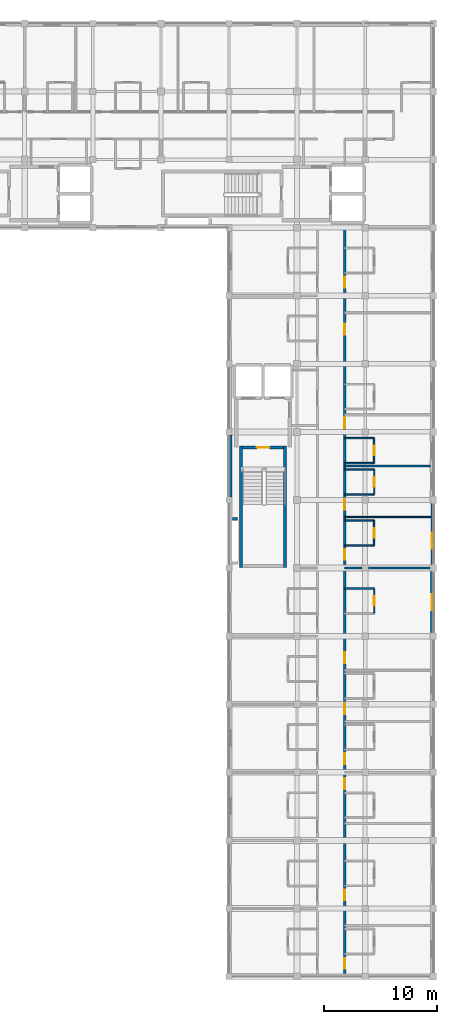
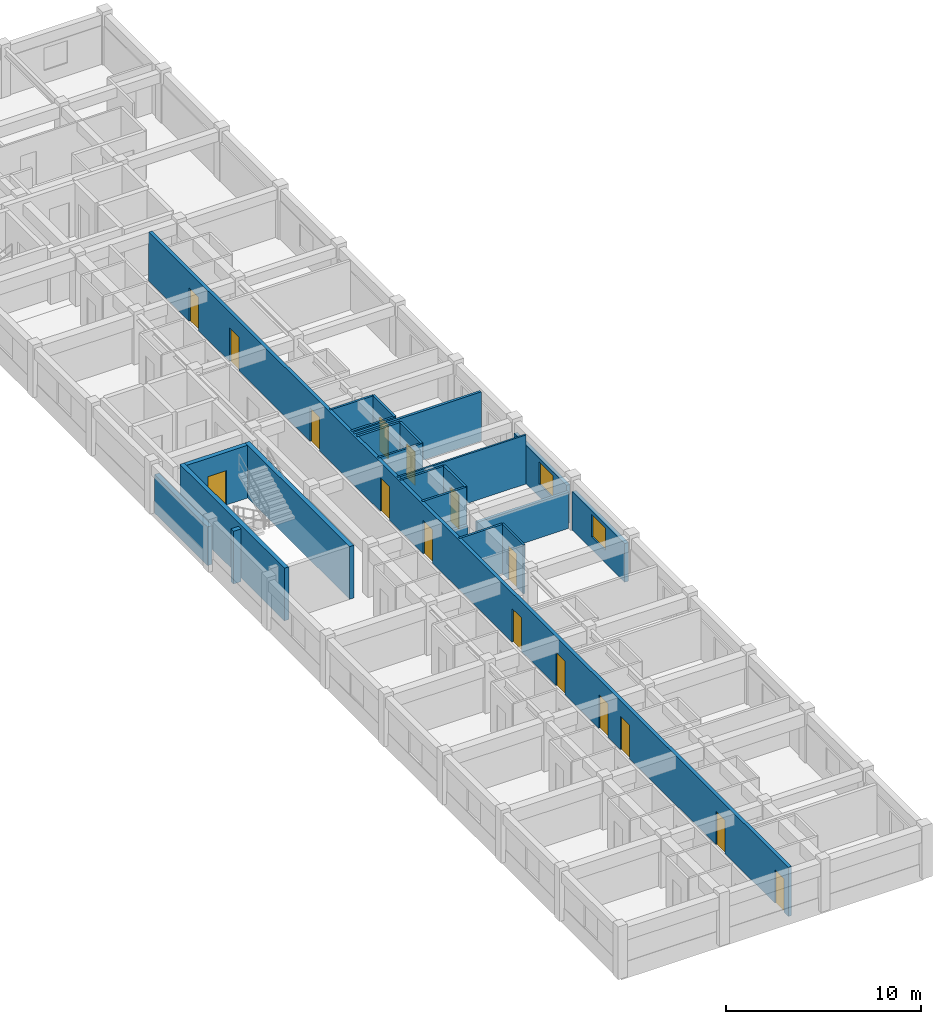
# One storey, part 6 of 21: 23 walls, 16 doors, 2 windows, 18 openings.
"""IFC4 building model written with IfcOpenShell, lengths in metres."""

from ifc_helpers import new_model, si_unit, direction, frame, frame_2d, origin, place, context, subcontext, project, spatial, rectangle, extrude, material, layer, layer_set, type_object, element, fill, save


model = new_model("IFC4")

# Units and contexts
model_context = context("Model", 3, precision=1e-05, world=origin(), true_north=direction((0.0, 1.0)))
body_context = subcontext(model_context, "Body", "Model", "MODEL_VIEW")
ifc_project = project(units=[si_unit("LENGTHUNIT", "METRE"), si_unit("AREAUNIT", "SQUARE_METRE"), si_unit("VOLUMEUNIT", "CUBIC_METRE"), si_unit("PLANEANGLEUNIT", "RADIAN"), si_unit("MASSUNIT", "GRAM", prefix="KILO"), si_unit("THERMODYNAMICTEMPERATUREUNIT", "KELVIN"), si_unit("POWERUNIT", "WATT")], contexts=[model_context])

# Site, building, storey
site_placement = place(None, origin())
site = spatial("IfcSite", under=ifc_project, at=site_placement, CompositionType="ELEMENT")
building_placement = place(site_placement, origin())
building = spatial("IfcBuilding", under=site, at=building_placement, Name="Phaisarnlok Congress Hotel", CompositionType="ELEMENT")
storey_placement = place(building_placement, frame((0.0, 0.0, 31.5)))
storey = spatial("IfcBuildingStorey", under=building, at=storey_placement, Name="L07", CompositionType="ELEMENT", Elevation=31.5)

# Wall, opening, window
ifc_material_1 = material(Name="Concrete C40/50", Category="concrete")
ifc_layer_1 = layer(ifc_material_1, 0.2099609375, Name="Concrete C40/50")
ifc_layer_set_1 = layer_set([ifc_layer_1], Name="Concrete C40/50")
wall_type_1 = type_object("IfcWallType", Name="WL-EXT-210", PredefinedType="SOLIDWALL", material=ifc_layer_set_1)
wall_1_placement = place(storey_placement, frame((179.89501953125, 78.304931640625, 0.0), z_axis=(0.0, 0.0, 1.0), x_axis=(0.0, 1.0, 0.0)))
wall_1 = element("IfcWall", 1, at=wall_1_placement, inside=storey, type_object=wall_type_1, Name="Exterior wall EW-07 (L07)", PredefinedType="SOLIDWALL", context=body_context, shape_type="SweptSolid", body=[
    extrude(rectangle(XDim=5.39013671875, YDim=0.2099609375, at=frame_2d((2.695068359375, 0.0))), origin(), (0.0, 0.0, 1.0), 2.419921875),
])
opening_1_placement = place(wall_1_placement, frame((1.406982421875, 0.0, 0.800048828125)))
opening_1 = element("IfcOpeningElement", 2, at=opening_1_placement, cuts=wall_1, Name="Opening W-13", PredefinedType="OPENING", context=body_context, shape_type="SweptSolid", body=[
    extrude(rectangle(XDim=1.39990234375, YDim=1.39990234375, at=frame_2d((0.699951171875, 0.699951171875))), frame((0.0, 0.114990234375, 0.0), z_axis=(0.0, -1.0, 0.0), x_axis=(1.0, 0.0, 0.0)), (0.0, 0.0, 1.0), 0.22998046875),
])
ifc_material_2 = material(Name="Thermally Broken Aluminium & Low-E Double Glazing", Category="aluminium")
window_type = type_object("IfcWindowType", Name="WIN-POD-1400", PartitioningType="SINGLE_PANEL", PredefinedType="WINDOW", material=ifc_material_2)
window_1_placement = place(opening_1_placement, origin())
window_1 = element("IfcWindow", 3, at=window_1_placement, inside=storey, type_object=window_type, Name="Guestroom window W-13 (L07)", OverallHeight=1.39990234375, OverallWidth=1.39990234375, PartitioningType="SINGLE_PANEL", PredefinedType="WINDOW", context=body_context, shape_type="SweptSolid", body=[
    extrude(rectangle(XDim=1.39990234375, YDim=1.39990234375, at=frame_2d((0.699951171875, 0.699951171875))), frame((0.0, 0.030029296875, 0.0), z_axis=(0.0, -1.0, 0.0), x_axis=(1.0, 0.0, 0.0)), (0.0, 0.0, 1.0), 0.06005859375),
])
fill(opening_1, window_1)

ifc_layer_2 = layer(ifc_material_1, 0.22998046875, Name="Concrete C40/50")
ifc_layer_set_2 = layer_set([ifc_layer_2], Name="Concrete C40/50")
wall_type_2 = type_object("IfcWallType", Name="WL-EXT-230", PredefinedType="SOLIDWALL", material=ifc_layer_set_2)
wall_2_placement = place(storey_placement, frame((179.885009765625, 72.304931640625, 0.0), z_axis=(0.0, 0.0, 1.0), x_axis=(0.0, 1.0, 0.0)))
wall_2 = element("IfcWall", 4, at=wall_2_placement, inside=storey, type_object=wall_type_2, Name="Exterior wall EW-06 (L07)", PredefinedType="SOLIDWALL", context=body_context, shape_type="SweptSolid", body=[
    extrude(rectangle(XDim=5.39013671875, YDim=0.22998046875, at=frame_2d((2.695068359375, 0.0))), origin(), (0.0, 0.0, 1.0), 2.419921875),
])
opening_2_placement = place(wall_2_placement, frame((1.9951171875, 0.0, 0.800048828125)))
opening_2 = element("IfcOpeningElement", 5, at=opening_2_placement, cuts=wall_2, Name="Opening W-13", PredefinedType="OPENING", context=body_context, shape_type="SweptSolid", body=[
    extrude(rectangle(XDim=1.39990234375, YDim=1.39990234375, at=frame_2d((0.699951171875, 0.699951171875))), frame((0.0, 0.125, 0.0), z_axis=(0.0, -1.0, 0.0), x_axis=(1.0, 0.0, 0.0)), (0.0, 0.0, 1.0), 0.25),
])
window_2_placement = place(opening_2_placement, origin())
window_2 = element("IfcWindow", 6, at=window_2_placement, inside=storey, type_object=window_type, Name="Guestroom window W-13 (L07)", OverallHeight=1.39990234375, OverallWidth=1.39990234375, PartitioningType="SINGLE_PANEL", PredefinedType="WINDOW", context=body_context, shape_type="SweptSolid", body=[
    extrude(rectangle(XDim=1.39990234375, YDim=1.39990234375, at=frame_2d((0.699951171875, 0.699951171875))), frame((0.0, 0.030029296875, 0.0), z_axis=(0.0, -1.0, 0.0), x_axis=(1.0, 0.0, 0.0)), (0.0, 0.0, 1.0), 0.06005859375),
])
fill(opening_2, window_2)

# Walls
ifc_layer_3 = layer(ifc_material_1, 0.27001953125, Name="Concrete C40/50")
ifc_layer_set_3 = layer_set([ifc_layer_3], Name="Concrete C40/50")
wall_type_3 = type_object("IfcWallType", Name="WL-EXT-270", PredefinedType="SOLIDWALL", material=ifc_layer_set_3)
wall_3_placement = place(storey_placement, frame((162.135009765625, 89.719970703125, 0.0), z_axis=(0.0, 0.0, 1.0), x_axis=(0.0, -1.0, 0.0)))
element("IfcWall", 7, at=wall_3_placement, inside=storey, type_object=wall_type_3, Name="Exterior wall EW-04 (L07)", PredefinedType="SOLIDWALL", context=body_context, shape_type="SweptSolid", body=[
    extrude(rectangle(XDim=5.43994140625, YDim=0.27001953125, at=frame_2d((2.719970703125, 0.0))), origin(), (0.0, 0.0, 1.0), 2.419921875),
])
ifc_material_3 = material(Name="Service Riser Shaftwall Partition", Category="gypsum")
ifc_layer_4 = layer(ifc_material_3, 0.10498046875, Name="Service Riser Shaftwall Partition")
ifc_layer_set_4 = layer_set([ifc_layer_4], Name="Service Riser Shaftwall Partition")
wall_type_4 = type_object("IfcWallType", Name="WL-INT-105", PredefinedType="PARTITIONING", material=ifc_layer_set_4)
wall_4_placement = place(storey_placement, frame((172.199951171875, 82.5, 0.0), z_axis=(0.0, 0.0, 1.0), x_axis=(1.0, 0.0, 0.0)))
element("IfcWall", 8, at=wall_4_placement, inside=storey, type_object=wall_type_4, Name="Interior partition wall IW-08 (L07)", PredefinedType="PARTITIONING", context=body_context, shape_type="SweptSolid", body=[
    extrude(rectangle(XDim=7.5849609375, YDim=0.10498046875, at=frame_2d((3.79248046875, 0.0))), origin(), (0.0, 0.0, 1.0), 3.070068359375),
])

# Wall, opening, door
ifc_material_4 = material(Name="Lightweight Metal-Stud Gypsum Partition", Category="gypsum")
ifc_layer_5 = layer(ifc_material_4, 0.1201171875, Name="Lightweight Metal-Stud Gypsum Partition")
ifc_layer_set_5 = layer_set([ifc_layer_5], Name="Lightweight Metal-Stud Gypsum Partition")
wall_type_5 = type_object("IfcWallType", Name="WL-INT-120", PredefinedType="PARTITIONING", material=ifc_layer_set_5)
wall_5_placement = place(storey_placement, frame((174.800048828125, 74.0, 0.0), z_axis=(0.0, 0.0, 1.0), x_axis=(0.0, 1.0, 0.0)))
wall_5 = element("IfcWall", 9, at=wall_5_placement, inside=storey, type_object=wall_type_5, Name="Interior partition wall IW-07 (L07)", PredefinedType="PARTITIONING", context=body_context, shape_type="SweptSolid", body=[
    extrude(rectangle(XDim=2.199951171875, YDim=0.1201171875, at=frame_2d((1.10009765625, 0.0))), origin(), (0.0, 0.0, 1.0), 3.070068359375),
])
opening_3_placement = place(wall_5_placement, frame((0.675048828125, 0.0, 0.0)))
opening_3 = element("IfcOpeningElement", 10, at=opening_3_placement, cuts=wall_5, Name="Opening D-0369", PredefinedType="OPENING", context=body_context, shape_type="SweptSolid", body=[
    extrude(rectangle(XDim=0.85009765625, YDim=2.10009765625, at=frame_2d((0.425048828125, 1.050048828125))), frame((0.0, 0.070068359375, 0.0), z_axis=(0.0, -1.0, 0.0), x_axis=(1.0, 0.0, 0.0)), (0.0, 0.0, 1.0), 0.14013671875),
])
ifc_material_5 = material(Name="Moisture-Resistant Lacquered Timber", Category="wood")
door_type_1 = type_object("IfcDoorType", Name="DR-BATH-850", OperationType="NOTDEFINED", PredefinedType="DOOR", material=ifc_material_5)
door_1_placement = place(opening_3_placement, origin())
door_1 = element("IfcDoor", 11, at=door_1_placement, inside=storey, type_object=door_type_1, Name="Interior door D-0369 (L07)", OperationType="SINGLE_SWING_LEFT", OverallHeight=2.10009765625, OverallWidth=0.85009765625, PredefinedType="DOOR", context=body_context, shape_type="SweptSolid", body=[
    extrude(rectangle(XDim=0.85009765625, YDim=2.10009765625, at=frame_2d((0.425048828125, 1.050048828125))), frame((0.0, 0.02490234375, 0.0), z_axis=(0.0, -1.0, 0.0), x_axis=(1.0, 0.0, 0.0)), (0.0, 0.0, 1.0), 0.050048828125),
])
fill(opening_3, door_1)

wall_6_placement = place(storey_placement, frame((174.800048828125, 84.5, 0.0), z_axis=(0.0, 0.0, 1.0), x_axis=(0.0, 1.0, 0.0)))
wall_6 = element("IfcWall", 12, at=wall_6_placement, inside=storey, type_object=wall_type_5, Name="Interior partition wall IW-07 (L07)", PredefinedType="PARTITIONING", context=body_context, shape_type="SweptSolid", body=[
    extrude(rectangle(XDim=2.199951171875, YDim=0.1201171875, at=frame_2d((1.10009765625, 0.0))), origin(), (0.0, 0.0, 1.0), 3.070068359375),
])
opening_4_placement = place(wall_6_placement, frame((0.675048828125, 0.0, 0.0)))
opening_4 = element("IfcOpeningElement", 13, at=opening_4_placement, cuts=wall_6, Name="Opening D-0373", PredefinedType="OPENING", context=body_context, shape_type="SweptSolid", body=[
    extrude(rectangle(XDim=0.85009765625, YDim=2.10009765625, at=frame_2d((0.425048828125, 1.050048828125))), frame((0.0, 0.070068359375, 0.0), z_axis=(0.0, -1.0, 0.0), x_axis=(1.0, 0.0, 0.0)), (0.0, 0.0, 1.0), 0.14013671875),
])
door_2_placement = place(opening_4_placement, origin())
door_2 = element("IfcDoor", 14, at=door_2_placement, inside=storey, type_object=door_type_1, Name="Interior door D-0373 (L07)", OperationType="SINGLE_SWING_LEFT", OverallHeight=2.10009765625, OverallWidth=0.85009765625, PredefinedType="DOOR", context=body_context, shape_type="SweptSolid", body=[
    extrude(rectangle(XDim=0.85009765625, YDim=2.10009765625, at=frame_2d((0.425048828125, 1.050048828125))), frame((0.0, 0.02490234375, 0.0), z_axis=(0.0, -1.0, 0.0), x_axis=(1.0, 0.0, 0.0)), (0.0, 0.0, 1.0), 0.050048828125),
])
fill(opening_4, door_2)

# Walls
for number, where, z_axis, x_axis, name in (
    (15, (172.199951171875, 82.199951171875, 0.0), (0.0, 0.0, 1.0), (1.0, 0.0, 0.0), "Interior partition wall IW-07 (L07)"),
    (16, (172.199951171875, 84.5, 0.0), (0.0, 0.0, 1.0), (1.0, 0.0, 0.0), "Interior partition wall IW-07 (L07)"),
    (17, (172.199951171875, 89.449951171875, 0.0), (0.0, 0.0, 1.0), (1.0, 0.0, 0.0), "Interior partition wall IW-07 (L07)"),
):
    element("IfcWall", number, at=place(storey_placement, frame(where, z_axis=z_axis, x_axis=x_axis)), inside=storey, type_object=wall_type_5, Name=name, PredefinedType="PARTITIONING", context=body_context, shape_type="SweptSolid", body=[
        extrude(rectangle(XDim=2.60009765625, YDim=0.1201171875, at=frame_2d((1.300048828125, 0.0))), origin(), (0.0, 0.0, 1.0), 3.070068359375),
    ])

# Wall, opening, door
ifc_material_6 = material(Name="Moisture-Resistant Gypsum Partition", Category="gypsum")
ifc_layer_6 = layer(ifc_material_6, 0.135009765625, Name="Moisture-Resistant Gypsum Partition")
ifc_layer_set_6 = layer_set([ifc_layer_6], Name="Moisture-Resistant Gypsum Partition")
wall_type_6 = type_object("IfcWallType", Name="WL-INT-135", PredefinedType="PARTITIONING", material=ifc_layer_set_6)
wall_7_placement = place(storey_placement, frame((174.800048828125, 80.0, 0.0), z_axis=(0.0, 0.0, 1.0), x_axis=(0.0, 1.0, 0.0)))
wall_7 = element("IfcWall", 18, at=wall_7_placement, inside=storey, type_object=wall_type_6, Name="Interior partition wall IW-06 (L07)", PredefinedType="PARTITIONING", context=body_context, shape_type="SweptSolid", body=[
    extrude(rectangle(XDim=2.199951171875, YDim=0.135009765625, at=frame_2d((1.10009765625, 0.0))), origin(), (0.0, 0.0, 1.0), 3.070068359375),
])
opening_5_placement = place(wall_7_placement, frame((0.675048828125, 0.0, 0.0)))
opening_5 = element("IfcOpeningElement", 19, at=opening_5_placement, cuts=wall_7, Name="Opening D-0371", PredefinedType="OPENING", context=body_context, shape_type="SweptSolid", body=[
    extrude(rectangle(XDim=0.85009765625, YDim=2.10009765625, at=frame_2d((0.425048828125, 1.050048828125))), frame((0.0, 0.07763671875, 0.0), z_axis=(0.0, -1.0, 0.0), x_axis=(1.0, 0.0, 0.0)), (0.0, 0.0, 1.0), 0.155029296875),
])
door_3_placement = place(opening_5_placement, origin())
door_3 = element("IfcDoor", 20, at=door_3_placement, inside=storey, type_object=door_type_1, Name="Interior door D-0371 (L07)", OperationType="SINGLE_SWING_LEFT", OverallHeight=2.10009765625, OverallWidth=0.85009765625, PredefinedType="DOOR", context=body_context, shape_type="SweptSolid", body=[
    extrude(rectangle(XDim=0.85009765625, YDim=2.10009765625, at=frame_2d((0.425048828125, 1.050048828125))), frame((0.0, 0.02490234375, 0.0), z_axis=(0.0, -1.0, 0.0), x_axis=(1.0, 0.0, 0.0)), (0.0, 0.0, 1.0), 0.050048828125),
])
fill(opening_5, door_3)

wall_8_placement = place(storey_placement, frame((174.800048828125, 87.25, 0.0), z_axis=(0.0, 0.0, 1.0), x_axis=(0.0, 1.0, 0.0)))
wall_8 = element("IfcWall", 21, at=wall_8_placement, inside=storey, type_object=wall_type_6, Name="Interior partition wall IW-06 (L07)", PredefinedType="PARTITIONING", context=body_context, shape_type="SweptSolid", body=[
    extrude(rectangle(XDim=2.199951171875, YDim=0.135009765625, at=frame_2d((1.10009765625, 0.0))), origin(), (0.0, 0.0, 1.0), 3.070068359375),
])
opening_6_placement = place(wall_8_placement, frame((0.675048828125, 0.0, 0.0)))
opening_6 = element("IfcOpeningElement", 22, at=opening_6_placement, cuts=wall_8, Name="Opening D-0375", PredefinedType="OPENING", context=body_context, shape_type="SweptSolid", body=[
    extrude(rectangle(XDim=0.85009765625, YDim=2.10009765625, at=frame_2d((0.425048828125, 1.050048828125))), frame((0.0, 0.07763671875, 0.0), z_axis=(0.0, -1.0, 0.0), x_axis=(1.0, 0.0, 0.0)), (0.0, 0.0, 1.0), 0.155029296875),
])
door_4_placement = place(opening_6_placement, origin())
door_4 = element("IfcDoor", 23, at=door_4_placement, inside=storey, type_object=door_type_1, Name="Interior door D-0375 (L07)", OperationType="SINGLE_SWING_LEFT", OverallHeight=2.10009765625, OverallWidth=0.85009765625, PredefinedType="DOOR", context=body_context, shape_type="SweptSolid", body=[
    extrude(rectangle(XDim=0.85009765625, YDim=2.10009765625, at=frame_2d((0.425048828125, 1.050048828125))), frame((0.0, 0.02490234375, 0.0), z_axis=(0.0, -1.0, 0.0), x_axis=(1.0, 0.0, 0.0)), (0.0, 0.0, 1.0), 0.050048828125),
])
fill(opening_6, door_4)

# Walls
for number, where, z_axis, x_axis, name in (
    (24, (172.199951171875, 76.199951171875, 0.0), (0.0, 0.0, 1.0), (1.0, 0.0, 0.0), "Interior partition wall IW-06 (L07)"),
    (25, (172.199951171875, 80.0, 0.0), (0.0, 0.0, 1.0), (1.0, 0.0, 0.0), "Interior partition wall IW-06 (L07)"),
    (26, (172.199951171875, 86.699951171875, 0.0), (0.0, 0.0, 1.0), (1.0, 0.0, 0.0), "Interior partition wall IW-06 (L07)"),
    (27, (172.199951171875, 87.25, 0.0), (0.0, 0.0, 1.0), (1.0, 0.0, 0.0), "Interior partition wall IW-06 (L07)"),
):
    element("IfcWall", number, at=place(storey_placement, frame(where, z_axis=z_axis, x_axis=x_axis)), inside=storey, type_object=wall_type_6, Name=name, PredefinedType="PARTITIONING", context=body_context, shape_type="SweptSolid", body=[
        extrude(rectangle(XDim=2.60009765625, YDim=0.135009765625, at=frame_2d((1.300048828125, 0.0))), origin(), (0.0, 0.0, 1.0), 3.070068359375),
    ])
ifc_material_7 = material(Name="Acoustic Gypsum Board & Mineral Wool", Category="gypsum")
ifc_layer_7 = layer(ifc_material_7, 0.14990234375, Name="Acoustic Gypsum Board & Mineral Wool")
ifc_layer_set_7 = layer_set([ifc_layer_7], Name="Acoustic Gypsum Board & Mineral Wool")
wall_type_7 = type_object("IfcWallType", Name="WL-INT-150", PredefinedType="PARTITIONING", material=ifc_layer_set_7)
wall_9_placement = place(storey_placement, frame((172.199951171875, 87.0, 0.0), z_axis=(0.0, 0.0, 1.0), x_axis=(1.0, 0.0, 0.0)))
element("IfcWall", 28, at=wall_9_placement, inside=storey, type_object=wall_type_7, Name="Interior partition wall IW-05 (L07)", PredefinedType="PARTITIONING", context=body_context, shape_type="SweptSolid", body=[
    extrude(rectangle(XDim=7.525146484375, YDim=0.14990234375, at=frame_2d((3.7626953125, 0.0))), origin(), (0.0, 0.0, 1.0), 3.070068359375),
])
ifc_material_8 = material(Name="Double-Stud Acoustic Gypsum Partition", Category="gypsum")
ifc_layer_8 = layer(ifc_material_8, 0.159912109375, Name="Double-Stud Acoustic Gypsum Partition")
ifc_layer_set_8 = layer_set([ifc_layer_8], Name="Double-Stud Acoustic Gypsum Partition")
wall_type_8 = type_object("IfcWallType", Name="WL-INT-160", PredefinedType="PARTITIONING", material=ifc_layer_set_8)
wall_10_placement = place(storey_placement, frame((174.280029296875, 78.0, 0.0), z_axis=(0.0, 0.0, 1.0), x_axis=(1.0, 0.0, 0.0)))
element("IfcWall", 29, at=wall_10_placement, inside=storey, type_object=wall_type_8, Name="Interior partition wall IW-04 (L07)", PredefinedType="PARTITIONING", context=body_context, shape_type="SweptSolid", body=[
    extrude(rectangle(XDim=5.4150390625, YDim=0.159912109375, at=frame_2d((2.70751953125, 0.0))), origin(), (0.0, 0.0, 1.0), 2.27001953125),
])
ifc_material_9 = material(Name="Autoclaved Aerated Concrete Block", Category="concrete")
ifc_layer_9 = layer(ifc_material_9, 0.179931640625, Name="Autoclaved Aerated Concrete Block")
ifc_layer_set_9 = layer_set([ifc_layer_9], Name="Autoclaved Aerated Concrete Block")
wall_type_9 = type_object("IfcWallType", Name="WL-INT-180", PredefinedType="PARTITIONING", material=ifc_layer_set_9)
wall_11_placement = place(storey_placement, frame((172.199951171875, 78.0, 0.0), z_axis=(0.0, 0.0, 1.0), x_axis=(1.0, 0.0, 0.0)))
element("IfcWall", 30, at=wall_11_placement, inside=storey, type_object=wall_type_9, Name="Interior partition wall IW-03 (L07)", PredefinedType="PARTITIONING", context=body_context, shape_type="SweptSolid", body=[
    extrude(rectangle(XDim=1.52001953125, YDim=0.179931640625, at=frame_2d((0.760009765625, 0.0))), origin(), (0.0, 0.0, 1.0), 2.27001953125),
])

# Wall, openings, doors
ifc_layer_10 = layer(ifc_material_9, 0.199951171875, Name="Autoclaved Aerated Concrete Block")
ifc_layer_set_10 = layer_set([ifc_layer_10], Name="Autoclaved Aerated Concrete Block")
wall_type_10 = type_object("IfcWallType", Name="WL-INT-200", PredefinedType="PARTITIONING", material=ifc_layer_set_10)
wall_12_placement = place(storey_placement, frame((172.199951171875, 42.2548828125, 0.0), z_axis=(0.0, 0.0, 1.0), x_axis=(0.0, 1.0, 0.0)))
wall_12 = element("IfcWall", 31, at=wall_12_placement, inside=storey, type_object=wall_type_10, Name="Interior partition wall IW-02 (L07)", PredefinedType="PARTITIONING", context=body_context, shape_type="SweptSolid", body=[
    extrude(rectangle(XDim=65.565185546875, YDim=0.199951171875, at=frame_2d((32.78271484375, 0.0))), origin(), (0.0, 0.0, 1.0), 3.070068359375),
])
opening_7_placement = place(wall_12_placement, frame((0.419921875, 0.0, 0.0)))
opening_7 = element("IfcOpeningElement", 32, at=opening_7_placement, cuts=wall_12, Name="Opening D-0360", PredefinedType="OPENING", context=body_context, shape_type="SweptSolid", body=[
    extrude(rectangle(XDim=0.949951171875, YDim=2.10009765625, at=frame_2d((0.47509765625, 1.050048828125))), frame((0.0, 0.10986328125, 0.0), z_axis=(0.0, -1.0, 0.0), x_axis=(1.0, 0.0, 0.0)), (0.0, 0.0, 1.0), 0.219970703125),
])
opening_8_placement = place(wall_12_placement, frame((6.469970703125, 0.0, 0.0)))
opening_8 = element("IfcOpeningElement", 33, at=opening_8_placement, cuts=wall_12, Name="Opening D-0362", PredefinedType="OPENING", context=body_context, shape_type="SweptSolid", body=[
    extrude(rectangle(XDim=0.949951171875, YDim=2.10009765625, at=frame_2d((0.47509765625, 1.050048828125))), frame((0.0, 0.10986328125, 0.0), z_axis=(0.0, -1.0, 0.0), x_axis=(1.0, 0.0, 0.0)), (0.0, 0.0, 1.0), 0.219970703125),
])
opening_9_placement = place(wall_12_placement, frame((16.27001953125, 0.0, 0.0)))
opening_9 = element("IfcOpeningElement", 34, at=opening_9_placement, cuts=wall_12, Name="Opening D-0364", PredefinedType="OPENING", context=body_context, shape_type="SweptSolid", body=[
    extrude(rectangle(XDim=0.949951171875, YDim=2.10009765625, at=frame_2d((0.47509765625, 1.050048828125))), frame((0.0, 0.10986328125, 0.0), z_axis=(0.0, -1.0, 0.0), x_axis=(1.0, 0.0, 0.0)), (0.0, 0.0, 1.0), 0.219970703125),
])
opening_10_placement = place(wall_12_placement, frame((18.469970703125, 0.0, 0.0)))
opening_10 = element("IfcOpeningElement", 35, at=opening_10_placement, cuts=wall_12, Name="Opening D-0366", PredefinedType="OPENING", context=body_context, shape_type="SweptSolid", body=[
    extrude(rectangle(XDim=0.949951171875, YDim=2.10009765625, at=frame_2d((0.47509765625, 1.050048828125))), frame((0.0, 0.10986328125, 0.0), z_axis=(0.0, -1.0, 0.0), x_axis=(1.0, 0.0, 0.0)), (0.0, 0.0, 1.0), 0.219970703125),
])
opening_11_placement = place(wall_12_placement, frame((22.8701171875, 0.0, 0.0)))
opening_11 = element("IfcOpeningElement", 36, at=opening_11_placement, cuts=wall_12, Name="Opening D-0368", PredefinedType="OPENING", context=body_context, shape_type="SweptSolid", body=[
    extrude(rectangle(XDim=0.949951171875, YDim=2.10009765625, at=frame_2d((0.47509765625, 1.050048828125))), frame((0.0, 0.10986328125, 0.0), z_axis=(0.0, -1.0, 0.0), x_axis=(1.0, 0.0, 0.0)), (0.0, 0.0, 1.0), 0.219970703125),
])
opening_12_placement = place(wall_12_placement, frame((27.3701171875, 0.0, 0.0)))
opening_12 = element("IfcOpeningElement", 37, at=opening_12_placement, cuts=wall_12, Name="Opening D-0370", PredefinedType="OPENING", context=body_context, shape_type="SweptSolid", body=[
    extrude(rectangle(XDim=0.949951171875, YDim=2.10009765625, at=frame_2d((0.47509765625, 1.050048828125))), frame((0.0, 0.10986328125, 0.0), z_axis=(0.0, -1.0, 0.0), x_axis=(1.0, 0.0, 0.0)), (0.0, 0.0, 1.0), 0.219970703125),
])
opening_13_placement = place(wall_12_placement, frame((36.469970703125, 0.0, 0.0)))
opening_13 = element("IfcOpeningElement", 38, at=opening_13_placement, cuts=wall_12, Name="Opening D-0372", PredefinedType="OPENING", context=body_context, shape_type="SweptSolid", body=[
    extrude(rectangle(XDim=0.949951171875, YDim=2.10009765625, at=frame_2d((0.47509765625, 1.050048828125))), frame((0.0, 0.10986328125, 0.0), z_axis=(0.0, -1.0, 0.0), x_axis=(1.0, 0.0, 0.0)), (0.0, 0.0, 1.0), 0.219970703125),
])
opening_14_placement = place(wall_12_placement, frame((40.8701171875, 0.0, 0.0)))
opening_14 = element("IfcOpeningElement", 39, at=opening_14_placement, cuts=wall_12, Name="Opening D-0374", PredefinedType="OPENING", context=body_context, shape_type="SweptSolid", body=[
    extrude(rectangle(XDim=0.949951171875, YDim=2.10009765625, at=frame_2d((0.47509765625, 1.050048828125))), frame((0.0, 0.10986328125, 0.0), z_axis=(0.0, -1.0, 0.0), x_axis=(1.0, 0.0, 0.0)), (0.0, 0.0, 1.0), 0.219970703125),
])
opening_15_placement = place(wall_12_placement, frame((48.070068359375, 0.0, 0.0)))
opening_15 = element("IfcOpeningElement", 40, at=opening_15_placement, cuts=wall_12, Name="Opening D-0376", PredefinedType="OPENING", context=body_context, shape_type="SweptSolid", body=[
    extrude(rectangle(XDim=0.949951171875, YDim=2.10009765625, at=frame_2d((0.47509765625, 1.050048828125))), frame((0.0, 0.10986328125, 0.0), z_axis=(0.0, -1.0, 0.0), x_axis=(1.0, 0.0, 0.0)), (0.0, 0.0, 1.0), 0.219970703125),
])
opening_16_placement = place(wall_12_placement, frame((56.320068359375, 0.0, 0.0)))
opening_16 = element("IfcOpeningElement", 41, at=opening_16_placement, cuts=wall_12, Name="Opening D-0378", PredefinedType="OPENING", context=body_context, shape_type="SweptSolid", body=[
    extrude(rectangle(XDim=0.949951171875, YDim=2.10009765625, at=frame_2d((0.47509765625, 1.050048828125))), frame((0.0, 0.10986328125, 0.0), z_axis=(0.0, -1.0, 0.0), x_axis=(1.0, 0.0, 0.0)), (0.0, 0.0, 1.0), 0.219970703125),
])
opening_17_placement = place(wall_12_placement, frame((60.469970703125, 0.0, 0.0)))
opening_17 = element("IfcOpeningElement", 42, at=opening_17_placement, cuts=wall_12, Name="Opening D-0380", PredefinedType="OPENING", context=body_context, shape_type="SweptSolid", body=[
    extrude(rectangle(XDim=0.949951171875, YDim=2.10009765625, at=frame_2d((0.47509765625, 1.050048828125))), frame((0.0, 0.10986328125, 0.0), z_axis=(0.0, -1.0, 0.0), x_axis=(1.0, 0.0, 0.0)), (0.0, 0.0, 1.0), 0.219970703125),
])
ifc_material_10 = material(Name="Acoustic Solid-Core Teak Veneer", Category="wood")
door_type_2 = type_object("IfcDoorType", Name="DR-FD30-950", OperationType="NOTDEFINED", PredefinedType="DOOR", material=ifc_material_10)
door_5_placement = place(opening_7_placement, origin())
door_5 = element("IfcDoor", 43, at=door_5_placement, inside=storey, type_object=door_type_2, Name="Interior door D-0360 (L07)", OperationType="SINGLE_SWING_RIGHT", OverallHeight=2.10009765625, OverallWidth=0.949951171875, PredefinedType="DOOR", context=body_context, shape_type="SweptSolid", body=[
    extrude(rectangle(XDim=0.949951171875, YDim=2.10009765625, at=frame_2d((0.47509765625, 1.050048828125))), frame((0.0, 0.02490234375, 0.0), z_axis=(0.0, -1.0, 0.0), x_axis=(1.0, 0.0, 0.0)), (0.0, 0.0, 1.0), 0.050048828125),
])
fill(opening_7, door_5)
door_6_placement = place(opening_8_placement, origin())
door_6 = element("IfcDoor", 44, at=door_6_placement, inside=storey, type_object=door_type_2, Name="Interior door D-0362 (L07)", OperationType="SINGLE_SWING_RIGHT", OverallHeight=2.10009765625, OverallWidth=0.949951171875, PredefinedType="DOOR", context=body_context, shape_type="SweptSolid", body=[
    extrude(rectangle(XDim=0.949951171875, YDim=2.10009765625, at=frame_2d((0.47509765625, 1.050048828125))), frame((0.0, 0.02490234375, 0.0), z_axis=(0.0, -1.0, 0.0), x_axis=(1.0, 0.0, 0.0)), (0.0, 0.0, 1.0), 0.050048828125),
])
fill(opening_8, door_6)
door_7_placement = place(opening_9_placement, origin())
door_7 = element("IfcDoor", 45, at=door_7_placement, inside=storey, type_object=door_type_2, Name="Interior door D-0364 (L07)", OperationType="SINGLE_SWING_RIGHT", OverallHeight=2.10009765625, OverallWidth=0.949951171875, PredefinedType="DOOR", context=body_context, shape_type="SweptSolid", body=[
    extrude(rectangle(XDim=0.949951171875, YDim=2.10009765625, at=frame_2d((0.47509765625, 1.050048828125))), frame((0.0, 0.02490234375, 0.0), z_axis=(0.0, -1.0, 0.0), x_axis=(1.0, 0.0, 0.0)), (0.0, 0.0, 1.0), 0.050048828125),
])
fill(opening_9, door_7)
door_8_placement = place(opening_10_placement, origin())
door_8 = element("IfcDoor", 46, at=door_8_placement, inside=storey, type_object=door_type_2, Name="Interior door D-0366 (L07)", OperationType="SINGLE_SWING_RIGHT", OverallHeight=2.10009765625, OverallWidth=0.949951171875, PredefinedType="DOOR", context=body_context, shape_type="SweptSolid", body=[
    extrude(rectangle(XDim=0.949951171875, YDim=2.10009765625, at=frame_2d((0.47509765625, 1.050048828125))), frame((0.0, 0.02490234375, 0.0), z_axis=(0.0, -1.0, 0.0), x_axis=(1.0, 0.0, 0.0)), (0.0, 0.0, 1.0), 0.050048828125),
])
fill(opening_10, door_8)
door_9_placement = place(opening_11_placement, origin())
door_9 = element("IfcDoor", 47, at=door_9_placement, inside=storey, type_object=door_type_2, Name="Interior door D-0368 (L07)", OperationType="SINGLE_SWING_RIGHT", OverallHeight=2.10009765625, OverallWidth=0.949951171875, PredefinedType="DOOR", context=body_context, shape_type="SweptSolid", body=[
    extrude(rectangle(XDim=0.949951171875, YDim=2.10009765625, at=frame_2d((0.47509765625, 1.050048828125))), frame((0.0, 0.02490234375, 0.0), z_axis=(0.0, -1.0, 0.0), x_axis=(1.0, 0.0, 0.0)), (0.0, 0.0, 1.0), 0.050048828125),
])
fill(opening_11, door_9)
door_10_placement = place(opening_12_placement, origin())
door_10 = element("IfcDoor", 48, at=door_10_placement, inside=storey, type_object=door_type_2, Name="Interior door D-0370 (L07)", OperationType="SINGLE_SWING_RIGHT", OverallHeight=2.10009765625, OverallWidth=0.949951171875, PredefinedType="DOOR", context=body_context, shape_type="SweptSolid", body=[
    extrude(rectangle(XDim=0.949951171875, YDim=2.10009765625, at=frame_2d((0.47509765625, 1.050048828125))), frame((0.0, 0.02490234375, 0.0), z_axis=(0.0, -1.0, 0.0), x_axis=(1.0, 0.0, 0.0)), (0.0, 0.0, 1.0), 0.050048828125),
])
fill(opening_12, door_10)
door_11_placement = place(opening_13_placement, origin())
door_11 = element("IfcDoor", 49, at=door_11_placement, inside=storey, type_object=door_type_2, Name="Interior door D-0372 (L07)", OperationType="SINGLE_SWING_RIGHT", OverallHeight=2.10009765625, OverallWidth=0.949951171875, PredefinedType="DOOR", context=body_context, shape_type="SweptSolid", body=[
    extrude(rectangle(XDim=0.949951171875, YDim=2.10009765625, at=frame_2d((0.47509765625, 1.050048828125))), frame((0.0, 0.02490234375, 0.0), z_axis=(0.0, -1.0, 0.0), x_axis=(1.0, 0.0, 0.0)), (0.0, 0.0, 1.0), 0.050048828125),
])
fill(opening_13, door_11)
door_12_placement = place(opening_14_placement, origin())
door_12 = element("IfcDoor", 50, at=door_12_placement, inside=storey, type_object=door_type_2, Name="Interior door D-0374 (L07)", OperationType="SINGLE_SWING_RIGHT", OverallHeight=2.10009765625, OverallWidth=0.949951171875, PredefinedType="DOOR", context=body_context, shape_type="SweptSolid", body=[
    extrude(rectangle(XDim=0.949951171875, YDim=2.10009765625, at=frame_2d((0.47509765625, 1.050048828125))), frame((0.0, 0.02490234375, 0.0), z_axis=(0.0, -1.0, 0.0), x_axis=(1.0, 0.0, 0.0)), (0.0, 0.0, 1.0), 0.050048828125),
])
fill(opening_14, door_12)
door_13_placement = place(opening_15_placement, origin())
door_13 = element("IfcDoor", 51, at=door_13_placement, inside=storey, type_object=door_type_2, Name="Interior door D-0376 (L07)", OperationType="SINGLE_SWING_RIGHT", OverallHeight=2.10009765625, OverallWidth=0.949951171875, PredefinedType="DOOR", context=body_context, shape_type="SweptSolid", body=[
    extrude(rectangle(XDim=0.949951171875, YDim=2.10009765625, at=frame_2d((0.47509765625, 1.050048828125))), frame((0.0, 0.02490234375, 0.0), z_axis=(0.0, -1.0, 0.0), x_axis=(1.0, 0.0, 0.0)), (0.0, 0.0, 1.0), 0.050048828125),
])
fill(opening_15, door_13)
door_14_placement = place(opening_16_placement, origin())
door_14 = element("IfcDoor", 52, at=door_14_placement, inside=storey, type_object=door_type_2, Name="Interior door D-0378 (L07)", OperationType="SINGLE_SWING_RIGHT", OverallHeight=2.10009765625, OverallWidth=0.949951171875, PredefinedType="DOOR", context=body_context, shape_type="SweptSolid", body=[
    extrude(rectangle(XDim=0.949951171875, YDim=2.10009765625, at=frame_2d((0.47509765625, 1.050048828125))), frame((0.0, 0.02490234375, 0.0), z_axis=(0.0, -1.0, 0.0), x_axis=(1.0, 0.0, 0.0)), (0.0, 0.0, 1.0), 0.050048828125),
])
fill(opening_16, door_14)
door_15_placement = place(opening_17_placement, origin())
door_15 = element("IfcDoor", 53, at=door_15_placement, inside=storey, type_object=door_type_2, Name="Interior door D-0380 (L07)", OperationType="SINGLE_SWING_RIGHT", OverallHeight=2.10009765625, OverallWidth=0.949951171875, PredefinedType="DOOR", context=body_context, shape_type="SweptSolid", body=[
    extrude(rectangle(XDim=0.949951171875, YDim=2.10009765625, at=frame_2d((0.47509765625, 1.050048828125))), frame((0.0, 0.02490234375, 0.0), z_axis=(0.0, -1.0, 0.0), x_axis=(1.0, 0.0, 0.0)), (0.0, 0.0, 1.0), 0.050048828125),
])
fill(opening_17, door_15)

# Walls
ifc_material_11 = material(Name="Concrete C50/60", Category="concrete")
ifc_layer_11 = layer(ifc_material_11, 0.260009765625, Name="Concrete C50/60")
ifc_layer_set_11 = layer_set([ifc_layer_11], Name="Concrete C50/60")
wall_type_11 = type_object("IfcWallType", Name="WL-SHR-260", PredefinedType="SHEAR", material=ifc_layer_set_11)
for number, where, z_axis, x_axis, name in (
    (54, (163.070068359375, 78.0400390625, 0.0), (0.0, 0.0, 1.0), (0.0, 1.0, 0.0), "Stair shaft shear wall SW-04 (CORE-3 L07)"),
    (55, (166.929931640625, 78.0400390625, 0.0), (0.0, 0.0, 1.0), (0.0, 1.0, 0.0), "Stair shaft shear wall SW-04 (CORE-3 L07)"),
):
    element("IfcWall", number, at=place(storey_placement, frame(where, z_axis=z_axis, x_axis=x_axis)), inside=storey, type_object=wall_type_11, Name=name, PredefinedType="SHEAR", context=body_context, shape_type="SweptSolid", body=[
        extrude(rectangle(XDim=10.719970703125, YDim=0.260009765625, at=frame_2d((5.35986328125, 0.0))), origin(), (0.0, 0.0, 1.0), 3.300048828125),
    ])

# Wall, opening, door
wall_13_placement = place(storey_placement, frame((163.199951171875, 88.6298828125, 0.0), z_axis=(0.0, 0.0, 1.0), x_axis=(1.0, 0.0, 0.0)))
wall_13 = element("IfcWall", 56, at=wall_13_placement, inside=storey, type_object=wall_type_11, Name="Stair shaft shear wall SW-04 (CORE-3 L07)", PredefinedType="SHEAR", context=body_context, shape_type="SweptSolid", body=[
    extrude(rectangle(XDim=3.60009765625, YDim=0.260009765625, at=frame_2d((1.800048828125, 0.0))), origin(), (0.0, 0.0, 1.0), 3.300048828125),
])
opening_18_placement = place(wall_13_placement, frame((1.25, 0.0, 0.0)))
opening_18 = element("IfcOpeningElement", 57, at=opening_18_placement, cuts=wall_13, Name="Opening FD-069", PredefinedType="OPENING", context=body_context, shape_type="SweptSolid", body=[
    extrude(rectangle(XDim=1.10009765625, YDim=2.14990234375, at=frame_2d((0.550048828125, 1.074951171875))), frame((0.0, 0.14013671875, 0.0), z_axis=(0.0, -1.0, 0.0), x_axis=(1.0, 0.0, 0.0)), (0.0, 0.0, 1.0), 0.280029296875),
])
ifc_material_12 = material(Name="Fire-Rated Steel Frame & Timber Leaf", Category="steel")
door_type_3 = type_object("IfcDoorType", Name="DR-FD60-1100", OperationType="NOTDEFINED", PredefinedType="DOOR", material=ifc_material_12)
door_16_placement = place(opening_18_placement, origin())
door_16 = element("IfcDoor", 58, at=door_16_placement, inside=storey, type_object=door_type_3, Name="Stair enclosure fire door FD-069 (L07)", OperationType="SINGLE_SWING_RIGHT", OverallHeight=2.14990234375, OverallWidth=1.10009765625, PredefinedType="DOOR", context=body_context, shape_type="SweptSolid", body=[
    extrude(rectangle(XDim=1.10009765625, YDim=2.14990234375, at=frame_2d((0.550048828125, 1.074951171875))), frame((0.0, 0.02490234375, 0.0), z_axis=(0.0, -1.0, 0.0), x_axis=(1.0, 0.0, 0.0)), (0.0, 0.0, 1.0), 0.050048828125),
])
fill(opening_18, door_16)

# Wall
wall_14_placement = place(storey_placement, frame((162.330078125, 82.330078125, 0.0), z_axis=(0.0, 0.0, 1.0), x_axis=(1.0, 0.0, 0.0)))
element("IfcWall", 59, at=wall_14_placement, inside=storey, type_object=wall_type_11, Name="Service riser shaft wall SW-04 (CORE-3 L07)", PredefinedType="SHEAR", context=body_context, shape_type="SweptSolid", body=[
    extrude(rectangle(XDim=0.43994140625, YDim=0.260009765625, at=frame_2d((0.219970703125, 0.0))), origin(), (0.0, 0.0, 1.0), 3.300048828125),
])

save(model, "model.ifc")
